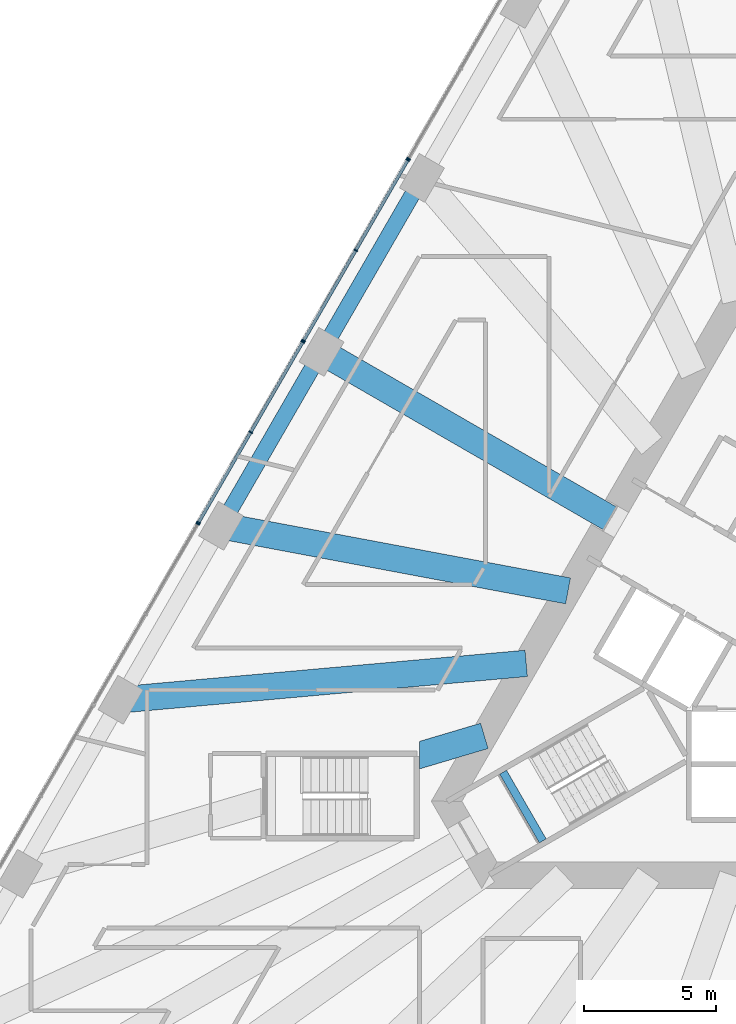
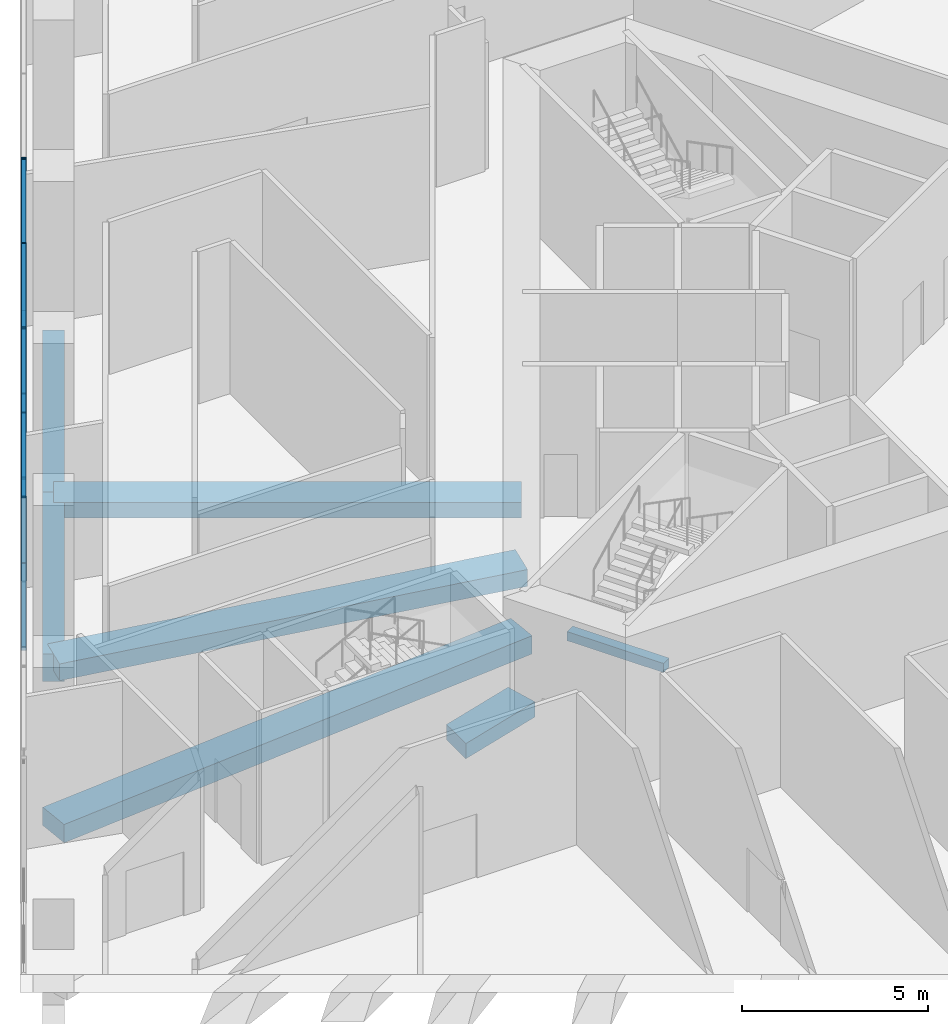
# One storey, part 10 of 32: 16 members, 7 beams, 4 elements without a shape of their own.
"""IFC4 building model written with IfcOpenShell, lengths in metres."""

from ifc_helpers import new_model, si_unit, direction, frame, origin, origin_2d, place, context, subcontext, project, spatial, rectangle, extrude, clip, halfspace, material, layer, layer_set, material_profile, profile_set, type_object, element, aggregate, save


model = new_model("IFC4")

# Units and contexts
model_context = context("Model", 3, precision=1e-05, world=origin(), true_north=direction((0.0, 1.0)))
body_context = subcontext(model_context, "Body", "Model", "MODEL_VIEW")
ifc_project = project(units=[si_unit("LENGTHUNIT", "METRE"), si_unit("AREAUNIT", "SQUARE_METRE"), si_unit("VOLUMEUNIT", "CUBIC_METRE"), si_unit("PLANEANGLEUNIT", "RADIAN"), si_unit("MASSUNIT", "GRAM", prefix="KILO")], contexts=[model_context])

# Site, building, storey
site_placement = place(None, origin())
site = spatial("IfcSite", under=ifc_project, at=site_placement, CompositionType="ELEMENT")
building_placement = place(site_placement, origin())
building = spatial("IfcBuilding", under=site, at=building_placement, Name="Triada Interchange Tower", CompositionType="ELEMENT")
storey_placement = place(building_placement, frame((0.0, 0.0, 14.5)))
storey = spatial("IfcBuildingStorey", under=building, at=storey_placement, Name="L02", CompositionType="ELEMENT", Elevation=14.5)

# Beam
ifc_material_1 = material(Name="Concrete C35/45", Category="concrete")
ifc_material_profile_1 = material_profile(ifc_material_1, rectangle(XDim=0.300048828125, YDim=0.300048828125, at=origin_2d()), Name="RC 300x300")
ifc_profile_set_1 = profile_set([ifc_material_profile_1], Name="Concrete C35/45")
beam_type_1 = type_object("IfcBeamType", Name="Landing support beam RC 300x300", PredefinedType="BEAM", material=ifc_profile_set_1)
beam_1_placement = place(storey_placement, frame((-11.8349609375, -5.10107421875, 2.191162109375), z_axis=(0.50002537861, -0.866010750942, 0.0), x_axis=(0.866010750942, 0.50002537861, 0.0)))
element("IfcBeam", 1, at=beam_1_placement, inside=storey, type_object=beam_type_1, Name="Landing support beam S02-2 1", PredefinedType="BEAM", context=body_context, shape_type="SweptSolid", body=[
    extrude(rectangle(XDim=0.300048828125, YDim=0.300048828125, at=origin_2d()), origin(), (0.0, 0.0, 1.0), 2.999755859375),
])

# Curtain wall, member
ifc_material_2 = material(Name="Aluminium framed glazing", Category="aluminium")
ifc_layer = layer(ifc_material_2, 0.199951171875)
ifc_layer_set = layer_set([ifc_layer], Name="Curtain wall Retail shopfront")
curtain_wall_type = type_object("IfcCurtainWallType", Name="Curtain wall Retail shopfront", PredefinedType="NOTDEFINED", material=ifc_layer_set)
curtain_wall_1_placement = place(storey_placement, origin())
curtain_wall_1 = element("IfcCurtainWall", 2, at=curtain_wall_1_placement, inside=storey, type_object=curtain_wall_type, Name="Retail shopfront CW025 L02", PredefinedType="NOTDEFINED")
ifc_material_3 = material(Name="Aluminium", Category="aluminium")
ifc_material_profile_2 = material_profile(ifc_material_3, rectangle(XDim=0.14990234375, YDim=0.050048828125, at=origin_2d()), Name="Aluminium mullion")
ifc_profile_set_2 = profile_set([ifc_material_profile_2], Name="Aluminium")
member_type_1 = type_object("IfcMemberType", Name="Mullion Retail shopfront 150x50", PredefinedType="MULLION", material=ifc_profile_set_2)
member_1_placement = place(storey_placement, frame((-15.410400390625, 18.107666015625, 0.0), z_axis=(0.0, 0.0, 1.0), x_axis=(0.866055473648, -0.499947913852, 0.0)))
member_1 = element("IfcMember", 3, at=member_1_placement, type_object=member_type_1, Name="CW025 mullion 3", PredefinedType="MULLION", context=body_context, shape_type="SweptSolid", body=[
    extrude(rectangle(XDim=0.14990234375, YDim=0.050048828125, at=origin_2d()), origin(), (0.0, 0.0, 1.0), 5.0),
])
aggregate(curtain_wall_1, [member_1])

# Curtain wall, members
curtain_wall_2_placement = place(storey_placement, origin())
curtain_wall_2 = element("IfcCurtainWall", 4, at=curtain_wall_2_placement, inside=storey, type_object=curtain_wall_type, Name="Retail shopfront CW026 L02", PredefinedType="NOTDEFINED")
member_2_placement = place(storey_placement, frame((-15.44140625, 18.055419921875, 0.0), z_axis=(0.0, 0.0, 1.0), x_axis=(0.866086968603, -0.499893351442, 0.0)))
member_2 = element("IfcMember", 5, at=member_2_placement, type_object=member_type_1, Name="CW026 mullion 1", PredefinedType="MULLION", context=body_context, shape_type="SweptSolid", body=[
    extrude(rectangle(XDim=0.14990234375, YDim=0.050048828125, at=origin_2d()), origin(), (0.0, 0.0, 1.0), 5.0),
])
member_3_placement = place(storey_placement, frame((-17.41259765625, 14.640380859375, 0.0), z_axis=(0.0, 0.0, 1.0), x_axis=(0.866086968603, -0.499893351442, 0.0)))
member_3 = element("IfcMember", 6, at=member_3_placement, type_object=member_type_1, Name="CW026 mullion 2", PredefinedType="MULLION", context=body_context, shape_type="SweptSolid", body=[
    extrude(rectangle(XDim=0.14990234375, YDim=0.050048828125, at=origin_2d()), origin(), (0.0, 0.0, 1.0), 5.0),
])
member_4_placement = place(storey_placement, frame((-19.383544921875, 11.2255859375, 0.0), z_axis=(0.0, 0.0, 1.0), x_axis=(0.866086968603, -0.499893351442, 0.0)))
member_4 = element("IfcMember", 7, at=member_4_placement, type_object=member_type_1, Name="CW026 mullion 3", PredefinedType="MULLION", context=body_context, shape_type="SweptSolid", body=[
    extrude(rectangle(XDim=0.14990234375, YDim=0.050048828125, at=origin_2d()), origin(), (0.0, 0.0, 1.0), 5.0),
])

curtain_wall_3_placement = place(storey_placement, origin())
curtain_wall_3 = element("IfcCurtainWall", 8, at=curtain_wall_3_placement, inside=storey, type_object=curtain_wall_type, Name="Retail shopfront CW027 L02", PredefinedType="NOTDEFINED")
member_5_placement = place(storey_placement, frame((-19.41455078125, 11.17431640625, 0.0), z_axis=(0.0, 0.0, 1.0), x_axis=(0.866086968603, -0.499893351442, 0.0)))
member_5 = element("IfcMember", 9, at=member_5_placement, type_object=member_type_1, Name="CW027 mullion 1", PredefinedType="MULLION", context=body_context, shape_type="SweptSolid", body=[
    extrude(rectangle(XDim=0.14990234375, YDim=0.050048828125, at=origin_2d()), origin(), (0.0, 0.0, 1.0), 5.0),
])
member_6_placement = place(storey_placement, frame((-21.385498046875, 7.759521484375, 0.0), z_axis=(0.0, 0.0, 1.0), x_axis=(0.866086968603, -0.499893351442, 0.0)))
member_6 = element("IfcMember", 10, at=member_6_placement, type_object=member_type_1, Name="CW027 mullion 2", PredefinedType="MULLION", context=body_context, shape_type="SweptSolid", body=[
    extrude(rectangle(XDim=0.14990234375, YDim=0.050048828125, at=origin_2d()), origin(), (0.0, 0.0, 1.0), 5.0),
])
member_7_placement = place(storey_placement, frame((-23.3564453125, 4.3447265625, 0.0), z_axis=(0.0, 0.0, 1.0), x_axis=(0.866086968603, -0.499893351442, 0.0)))
member_7 = element("IfcMember", 11, at=member_7_placement, type_object=member_type_1, Name="CW027 mullion 3", PredefinedType="MULLION", context=body_context, shape_type="SweptSolid", body=[
    extrude(rectangle(XDim=0.14990234375, YDim=0.050048828125, at=origin_2d()), origin(), (0.0, 0.0, 1.0), 5.0),
])

# Curtain wall, member
curtain_wall_4_placement = place(storey_placement, origin())
curtain_wall_4 = element("IfcCurtainWall", 12, at=curtain_wall_4_placement, inside=storey, type_object=curtain_wall_type, Name="Retail shopfront CW028 L02", PredefinedType="NOTDEFINED")
member_8_placement = place(storey_placement, frame((-23.387451171875, 4.292236328125, 0.0), z_axis=(0.0, 0.0, 1.0), x_axis=(0.866055473648, -0.499947913852, 0.0)))
member_8 = element("IfcMember", 13, at=member_8_placement, type_object=member_type_1, Name="CW028 mullion 1", PredefinedType="MULLION", context=body_context, shape_type="SweptSolid", body=[
    extrude(rectangle(XDim=0.14990234375, YDim=0.050048828125, at=origin_2d()), origin(), (0.0, 0.0, 1.0), 5.0),
])
aggregate(curtain_wall_4, [member_8])

# Beams
ifc_material_4 = material(Name="Concrete C50/60", Category="concrete")
ifc_material_profile_3 = material_profile(ifc_material_4, rectangle(XDim=1.0, YDim=0.5, at=origin_2d()), Name="RC 1000x500")
ifc_profile_set_3 = profile_set([ifc_material_profile_3], Name="Concrete C50/60")
beam_type_2 = type_object("IfcBeamType", Name="Radial band beam P RC 1000x500", PredefinedType="BEAM", material=ifc_profile_set_3)
beam_2_placement = place(storey_placement, frame((-18.7060546875, 10.800048828125, -0.64990234375), z_axis=(0.866027481415, -0.499996401421, 0.0), x_axis=(0.499996401421, 0.866027481415, 0.0)))
element("IfcBeam", 14, at=beam_2_placement, inside=storey, type_object=beam_type_2, Name="Radial band beam BP05 L02", PredefinedType="BEAM", context=body_context, shape_type="SweptSolid", body=[
    extrude(rectangle(XDim=1.0, YDim=0.5, at=origin_2d()), origin(), (0.0, 0.0, 1.0), 12.60009765625),
])
beam_3_placement = place(storey_placement, frame((-16.43798828125, -4.884033203125, -0.64990234375), z_axis=(0.95858381739, 0.284810577468, 0.0), x_axis=(-0.284810577468, 0.95858381739, 0.0)))
element("IfcBeam", 15, at=beam_3_placement, inside=storey, type_object=beam_type_2, Name="Radial band beam BP08B L02", PredefinedType="BEAM", context=body_context, shape_type="Clipping", body=[
    clip(extrude(rectangle(XDim=1.0, YDim=0.5, at=origin_2d()), origin(), (0.0, 0.0, 1.0), 4.062255859375), halfspace(frame((0.150146484375, -13.85009765625, 1.544677734375), z_axis=(0.284810577468, 0.0, -0.95858381739), x_axis=(0.0, -1.0, 0.0)), False)),
])
ifc_material_profile_4 = material_profile(ifc_material_4, rectangle(XDim=1.0, YDim=0.550048828125, at=origin_2d()), Name="RC 1000x550")
ifc_profile_set_4 = profile_set([ifc_material_profile_4], Name="Concrete C50/60")
beam_type_3 = type_object("IfcBeamType", Name="Radial band beam P RC 1000x550", PredefinedType="BEAM", material=ifc_profile_set_4)
beam_4_placement = place(storey_placement, frame((-22.506103515625, 4.218994140625, -0.675048828125), z_axis=(0.982880256044, -0.184245494596, 0.0), x_axis=(0.184245494596, 0.982880256044, 0.0)))
element("IfcBeam", 16, at=beam_4_placement, inside=storey, type_object=beam_type_3, Name="Radial band beam BP06 L02", PredefinedType="BEAM", context=body_context, shape_type="SweptSolid", body=[
    extrude(rectangle(XDim=1.0, YDim=0.550048828125, at=origin_2d()), origin(), (0.0, 0.0, 1.0), 13.35693359375),
])
ifc_material_profile_5 = material_profile(ifc_material_4, rectangle(XDim=1.0, YDim=0.60009765625, at=origin_2d()), Name="RC 1000x600")
ifc_profile_set_5 = profile_set([ifc_material_profile_5], Name="Concrete C50/60")
beam_type_4 = type_object("IfcBeamType", Name="Radial band beam P RC 1000x600", PredefinedType="BEAM", material=ifc_profile_set_5)
beam_5_placement = place(storey_placement, frame((-26.305908203125, -2.362060546875, -0.699951171875), z_axis=(0.995991072831, 0.089452684934, 0.0), x_axis=(-0.089452684934, 0.995991072831, 0.0)))
element("IfcBeam", 17, at=beam_5_placement, inside=storey, type_object=beam_type_4, Name="Radial band beam BP07 L02", PredefinedType="BEAM", context=body_context, shape_type="SweptSolid", body=[
    extrude(rectangle(XDim=1.0, YDim=0.60009765625, at=origin_2d()), origin(), (0.0, 0.0, 1.0), 15.40673828125),
])
ifc_material_profile_6 = material_profile(ifc_material_4, rectangle(XDim=0.60009765625, YDim=0.89990234375, at=origin_2d()), Name="RC 600x900")
ifc_profile_set_6 = profile_set([ifc_material_profile_6], Name="Concrete C50/60")
beam_type_5 = type_object("IfcBeamType", Name="Spandrel beam P RC 600x900", PredefinedType="BEAM", material=ifc_profile_set_6)
for number, where, z_axis, x_axis, name in (
    (18, (-14.906005859375, 17.381103515625, -0.85009765625), (-0.500046891162, -0.865998329467, 0.0), (0.865998329467, -0.500046891162, 0.0), "Spandrel beam EP04 L02"),
    (19, (-18.7060546875, 10.800048828125, -0.85009765625), (-0.500046891162, -0.865998329467, 0.0), (0.865998329467, -0.500046891162, 0.0), "Spandrel beam EP05 L02"),
):
    element("IfcBeam", number, at=place(storey_placement, frame(where, z_axis=z_axis, x_axis=x_axis)), inside=storey, type_object=beam_type_5, Name=name, PredefinedType="BEAM", context=body_context, shape_type="SweptSolid", body=[
        extrude(rectangle(XDim=0.60009765625, YDim=0.89990234375, at=origin_2d()), origin(), (0.0, 0.0, 1.0), 7.599365234375),
    ])

# Member
ifc_material_profile_7 = material_profile(ifc_material_3, rectangle(XDim=0.1201171875, YDim=0.050048828125, at=origin_2d()), Name="Aluminium transom")
ifc_profile_set_7 = profile_set([ifc_material_profile_7], Name="Aluminium")
member_type_2 = type_object("IfcMemberType", Name="Transom Retail shopfront 120x50", PredefinedType="USERDEFINED", material=ifc_profile_set_7)
member_9_placement = place(storey_placement, frame((-15.4541015625, 18.03369140625, 0.02490234375), z_axis=(-0.499849133735, -0.866112488944, 0.0), x_axis=(0.866112488944, -0.499849133735, 0.0)))
member_9 = element("IfcMember", 20, at=member_9_placement, type_object=member_type_2, Name="CW026 transom 1.1", ObjectType="TRANSOM", PredefinedType="USERDEFINED", context=body_context, shape_type="SweptSolid", body=[
    extrude(rectangle(XDim=0.1201171875, YDim=0.050048828125, at=origin_2d()), origin(), (0.0, 0.0, 1.0), 3.892822265625),
])

member_10_placement = place(storey_placement, frame((-15.4541015625, 18.03369140625, 4.97509765625), z_axis=(-0.499849133735, -0.866112488944, 0.0), x_axis=(0.866112488944, -0.499849133735, 0.0)))
member_10 = element("IfcMember", 21, at=member_10_placement, type_object=member_type_2, Name="CW026 transom 1.2", ObjectType="TRANSOM", PredefinedType="USERDEFINED", context=body_context, shape_type="SweptSolid", body=[
    extrude(rectangle(XDim=0.1201171875, YDim=0.050048828125, at=origin_2d()), origin(), (0.0, 0.0, 1.0), 3.892822265625),
])

member_11_placement = place(storey_placement, frame((-17.425048828125, 14.618896484375, 0.02490234375), z_axis=(-0.499896178229, -0.866085337015, 0.0), x_axis=(0.866085337015, -0.499896178229, 0.0)))
member_11 = element("IfcMember", 22, at=member_11_placement, type_object=member_type_2, Name="CW026 transom 2.1", ObjectType="TRANSOM", PredefinedType="USERDEFINED", context=body_context, shape_type="SweptSolid", body=[
    extrude(rectangle(XDim=0.1201171875, YDim=0.050048828125, at=origin_2d()), origin(), (0.0, 0.0, 1.0), 3.892822265625),
])

member_12_placement = place(storey_placement, frame((-17.425048828125, 14.618896484375, 4.97509765625), z_axis=(-0.499896178229, -0.866085337015, 0.0), x_axis=(0.866085337015, -0.499896178229, 0.0)))
member_12 = element("IfcMember", 23, at=member_12_placement, type_object=member_type_2, Name="CW026 transom 2.2", ObjectType="TRANSOM", PredefinedType="USERDEFINED", context=body_context, shape_type="SweptSolid", body=[
    extrude(rectangle(XDim=0.1201171875, YDim=0.050048828125, at=origin_2d()), origin(), (0.0, 0.0, 1.0), 3.892822265625),
])

aggregate(curtain_wall_2, [member_2, member_3, member_4, member_9, member_10, member_11, member_12])

member_13_placement = place(storey_placement, frame((-19.427001953125, 11.152587890625, 0.02490234375), z_axis=(-0.499923331814, -0.866069663658, 0.0), x_axis=(0.866069663658, -0.499923331814, 0.0)))
member_13 = element("IfcMember", 24, at=member_13_placement, type_object=member_type_2, Name="CW027 transom 1.1", ObjectType="TRANSOM", PredefinedType="USERDEFINED", context=body_context, shape_type="SweptSolid", body=[
    extrude(rectangle(XDim=0.1201171875, YDim=0.050048828125, at=origin_2d()), origin(), (0.0, 0.0, 1.0), 3.892578125),
])

member_14_placement = place(storey_placement, frame((-19.427001953125, 11.152587890625, 4.97509765625), z_axis=(-0.499923331814, -0.866069663658, 0.0), x_axis=(0.866069663658, -0.499923331814, 0.0)))
member_14 = element("IfcMember", 25, at=member_14_placement, type_object=member_type_2, Name="CW027 transom 1.2", ObjectType="TRANSOM", PredefinedType="USERDEFINED", context=body_context, shape_type="SweptSolid", body=[
    extrude(rectangle(XDim=0.1201171875, YDim=0.050048828125, at=origin_2d()), origin(), (0.0, 0.0, 1.0), 3.892578125),
])

member_15_placement = place(storey_placement, frame((-21.39794921875, 7.73779296875, 0.02490234375), z_axis=(-0.499896178229, -0.866085337015, 0.0), x_axis=(0.866085337015, -0.499896178229, 0.0)))
member_15 = element("IfcMember", 26, at=member_15_placement, type_object=member_type_2, Name="CW027 transom 2.1", ObjectType="TRANSOM", PredefinedType="USERDEFINED", context=body_context, shape_type="SweptSolid", body=[
    extrude(rectangle(XDim=0.1201171875, YDim=0.050048828125, at=origin_2d()), origin(), (0.0, 0.0, 1.0), 3.892822265625),
])

member_16_placement = place(storey_placement, frame((-21.39794921875, 7.73779296875, 4.97509765625), z_axis=(-0.499896178229, -0.866085337015, 0.0), x_axis=(0.866085337015, -0.499896178229, 0.0)))
member_16 = element("IfcMember", 27, at=member_16_placement, type_object=member_type_2, Name="CW027 transom 2.2", ObjectType="TRANSOM", PredefinedType="USERDEFINED", context=body_context, shape_type="SweptSolid", body=[
    extrude(rectangle(XDim=0.1201171875, YDim=0.050048828125, at=origin_2d()), origin(), (0.0, 0.0, 1.0), 3.892822265625),
])

aggregate(curtain_wall_3, [member_5, member_6, member_7, member_13, member_14, member_15, member_16])

save(model, "model.ifc")
